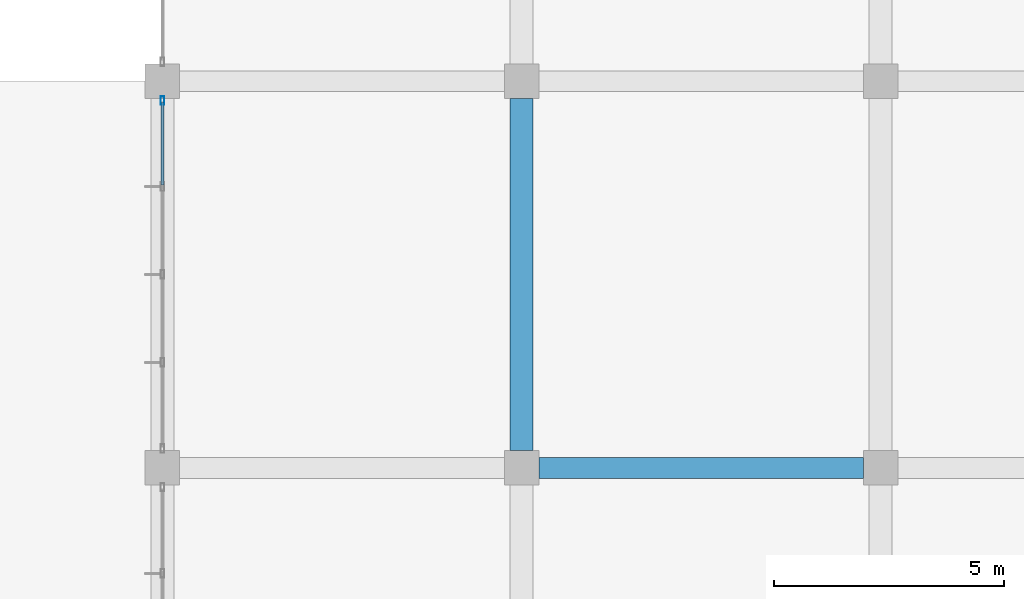
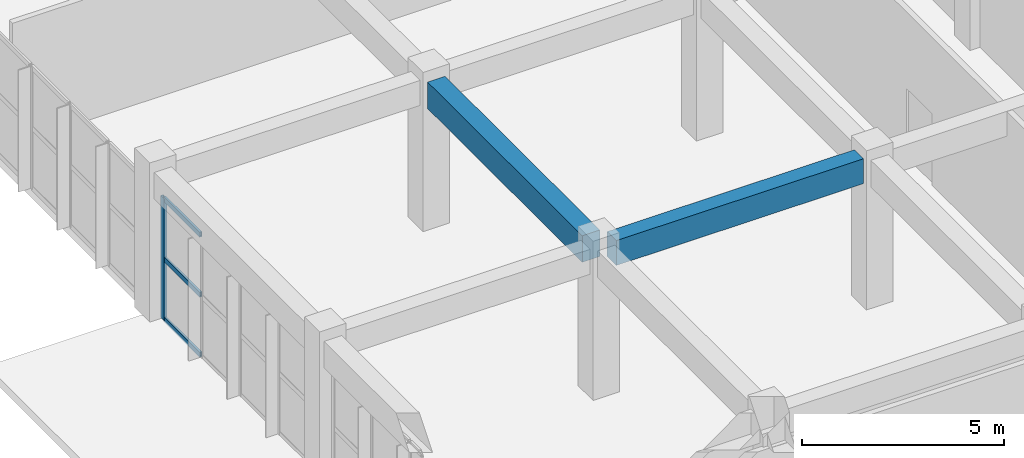
# One storey, part 21 of 175: 4 members, 2 beams, 1 element without a shape of its own.
"""IFC4 building model written with IfcOpenShell, lengths in metres."""

import ifcopenshell
import ifcopenshell.guid

model = None  # the IFC model being written
_history = None  # IfcOwnerHistory: only IFC2X3 demands one
_inside = {}  # id of a spatial element -> (the spatial element, [elements in it])
_under = {}  # id of a project, library or spatial element -> (it, [spatial elements below it])
_declared = {}  # id of a project -> (the project, [libraries it declares])
_typed = {}  # id of a type object -> (the type object, [elements of that type])
_made_of = {}  # id of a material, layer set ... -> (it, [elements and type objects made of it])


def new_model(schema):
    """Start an empty IFC model of exactly this schema.

    Asked for "IFC4X3", IfcOpenShell would pick the latest addendum, in which some entities
    have other attributes; the version numbers below select the first issue.
    IFC2X3 requires an IfcOwnerHistory on every rooted entity: one is made here for all.
    """
    global model, _history
    if schema == "IFC4X3":
        model = ifcopenshell.file(schema_version=(4, 3, 0, 0))
    else:
        model = ifcopenshell.file(schema=schema)
    _inside.clear()
    _under.clear()
    _declared.clear()
    _typed.clear()
    _made_of.clear()
    _history = None
    if model.schema == "IFC2X3":
        org = make("IfcOrganization", Name="unknown")
        user = make(
            "IfcPersonAndOrganization",
            ThePerson=make("IfcPerson", FamilyName="unknown"),
            TheOrganization=org,
        )
        app = make(
            "IfcApplication",
            ApplicationDeveloper=org,
            Version="unknown",
            ApplicationFullName="unknown",
            ApplicationIdentifier="unknown",
        )
        _history = make(
            "IfcOwnerHistory",
            OwningUser=user,
            OwningApplication=app,
            ChangeAction="ADDED",
            CreationDate=0,
        )
    return model


def make(cls, **values):
    """One entity of the class cls with the attributes given. An attribute that is None is left unset."""
    return model.create_entity(
        cls, **{name: value for name, value in values.items() if value is not None}
    )


def rooted(cls, **values):
    """An entity with a GlobalId (a new one), such as an element, a storey or a relation."""
    return make(cls, GlobalId=ifcopenshell.guid.new(), OwnerHistory=_history, **values)


def si_unit(unit_type, name, prefix=None):
    """IfcSIUnit, for example si_unit("LENGTHUNIT", "METRE", prefix="MILLI")."""
    return make("IfcSIUnit", UnitType=unit_type, Prefix=prefix, Name=name)


def assignment(units):
    """IfcUnitAssignment: the units of a project."""
    return None if units is None else make("IfcUnitAssignment", Units=units)


def point(xyz):
    """IfcCartesianPoint."""
    return None if xyz is None else make("IfcCartesianPoint", Coordinates=xyz)


def direction(xyz):
    """IfcDirection."""
    return None if xyz is None else make("IfcDirection", DirectionRatios=xyz)


def frame(location, z_axis=None, x_axis=None):
    """IfcAxis2Placement3D, a coordinate frame: its origin and axes. An axis left out is left unset."""
    return make(
        "IfcAxis2Placement3D",
        Location=point(location),
        Axis=direction(z_axis),
        RefDirection=direction(x_axis),
    )


def frame_2d(location, x_axis=None):
    """IfcAxis2Placement2D, a coordinate frame in the plane: its origin and x axis."""
    return make(
        "IfcAxis2Placement2D", Location=point(location), RefDirection=direction(x_axis)
    )


def origin():
    """The frame at (0, 0, 0) with its axes left unset."""
    return frame((0.0, 0.0, 0.0))


def origin_2d():
    """The frame at (0, 0) in the plane with its x axis left unset."""
    return frame_2d((0.0, 0.0))


def place(relative_to, where):
    """IfcLocalPlacement: puts the frame where relative to a parent placement (None: the world)."""
    return make(
        "IfcLocalPlacement", PlacementRelTo=relative_to, RelativePlacement=where
    )


def context(
    kind, dimensions, precision=None, world=None, true_north=None, identifier=None
):
    """IfcGeometricRepresentationContext, for example the 3D "Model" context."""
    return make(
        "IfcGeometricRepresentationContext",
        ContextIdentifier=identifier,
        ContextType=kind,
        CoordinateSpaceDimension=dimensions,
        Precision=precision,
        WorldCoordinateSystem=world,
        TrueNorth=true_north,
    )


def subcontext(parent, identifier, kind, view, scale=None):
    """IfcGeometricRepresentationSubContext, for example "Body" below "Model"."""
    return make(
        "IfcGeometricRepresentationSubContext",
        ContextIdentifier=identifier,
        ContextType=kind,
        ParentContext=parent,
        TargetScale=scale,
        TargetView=view,
    )


def project(units=None, contexts=None):
    """IfcProject with its units and contexts."""
    return rooted(
        "IfcProject",
        Name="project",
        RepresentationContexts=contexts,
        UnitsInContext=assignment(units),
    )


def spatial(cls, under=None, at=None, **own):
    """A site, building, storey or space (cls), placed at a placement, below another one or the project."""
    s = rooted(cls, ObjectPlacement=at, **own)
    if under is not None:
        _under.setdefault(under.id(), (under, []))[1].append(s)
    return s


def profile(cls, at=None, kind="AREA", **sizes):
    """A parametric profile (cls). Its sizes go by their IFC names, for example OverallWidth=200.0."""
    return make(cls, ProfileType=kind, Position=at, **sizes)


def rectangle(**sizes):
    """IfcRectangleProfileDef."""
    return profile("IfcRectangleProfileDef", **sizes)


def hollow_rectangle(**sizes):
    """IfcRectangleHollowProfileDef."""
    return profile("IfcRectangleHollowProfileDef", **sizes)


def extrude(swept, where, along, depth):
    """IfcExtrudedAreaSolid: the profile swept, set in the frame where, extruded along a direction by depth."""
    return make(
        "IfcExtrudedAreaSolid",
        SweptArea=swept,
        Position=where,
        ExtrudedDirection=direction(along),
        Depth=depth,
    )


def shape(context_of_items, identifier, shape_type, items):
    """IfcShapeRepresentation: the items that make up one representation, for example the "Body"."""
    return make(
        "IfcShapeRepresentation",
        ContextOfItems=context_of_items,
        RepresentationIdentifier=identifier,
        RepresentationType=shape_type,
        Items=items,
    )


def material(Name=None, Category=None):
    """IfcMaterial."""
    return make("IfcMaterial", Name=Name, Category=Category)


def layer(
    of_material, thickness, ventilated=None, Name=None, Category=None, Priority=None
):
    """IfcMaterialLayer: one layer of a wall or slab, of a material (None: an air gap)."""
    return make(
        "IfcMaterialLayer",
        Material=of_material,
        LayerThickness=thickness,
        IsVentilated=ventilated,
        Name=Name,
        Category=Category,
        Priority=Priority,
    )


def layer_set(layers, Name=None):
    """IfcMaterialLayerSet."""
    return make("IfcMaterialLayerSet", MaterialLayers=layers, LayerSetName=Name)


def material_profile(
    of_material, cross_section, Name=None, Category=None, Priority=None
):
    """IfcMaterialProfile: a cross section and its material."""
    return make(
        "IfcMaterialProfile",
        Name=Name,
        Material=of_material,
        Profile=cross_section,
        Priority=Priority,
        Category=Category,
    )


def profile_set(profiles, Name=None, composite=None):
    """IfcMaterialProfileSet."""
    return make(
        "IfcMaterialProfileSet",
        Name=Name,
        MaterialProfiles=profiles,
        CompositeProfile=composite,
    )


def made_of(thing, what):
    """Note that an element or type object is made of a material, layer set ...; save() writes the relation."""
    if what is not None:
        _made_of.setdefault(what.id(), (what, []))[1].append(thing)
    return thing


def type_object(cls, material=None, **own):
    """A type object (cls), such as IfcWallType, which elements share."""
    return made_of(rooted(cls, **own), material)


def element(
    cls,
    number,
    at=None,
    inside=None,
    cuts=None,
    type_object=None,
    material=None,
    context=None,
    identifier="Body",
    shape_type=None,
    held_by="IfcProductDefinitionShape",
    body=None,
    shapes=None,
    **own,
):
    """One element of the class cls, such as IfcWall. Its Tag is "e" and its number.

    at: its placement. inside: the storey or other place that contains it. cuts: it is an
    opening in that element (IfcRelVoidsElement). A single representation is given by context,
    identifier, shape_type and body (its items); several are given by shapes. held_by: the class
    of the entity that holds the representations. save() writes the other relations.
    """
    e = rooted(cls, Tag="e%d" % number, ObjectPlacement=at, **own)
    if body is not None:
        shapes = [shape(context, identifier, shape_type, body)]
    if shapes is not None:
        e.Representation = make(held_by, Representations=shapes)
    if inside is not None:
        _inside.setdefault(inside.id(), (inside, []))[1].append(e)
    if cuts is not None:
        rooted(
            "IfcRelVoidsElement", RelatingBuildingElement=cuts, RelatedOpeningElement=e
        )
    if type_object is not None:
        _typed.setdefault(type_object.id(), (type_object, []))[1].append(e)
    return made_of(e, material)


def aggregate(whole, parts):
    """IfcRelAggregates: a whole, such as a stair, and the parts it consists of."""
    return rooted("IfcRelAggregates", RelatingObject=whole, RelatedObjects=parts)


def save(model, path):
    """Write the relations noted so far, then the file.

    IfcRelAggregates (storeys below a building ...), IfcRelContainedInSpatialStructure (elements
    in a storey), IfcRelDefinesByType, IfcRelAssociatesMaterial and IfcRelDeclares: one each for
    every whole, place, type object, material and project.
    """
    for whole, parts in _under.values():
        aggregate(whole, parts)
    for where, things in _inside.values():
        rooted(
            "IfcRelContainedInSpatialStructure",
            RelatedElements=things,
            RelatingStructure=where,
        )
    for kind, things in _typed.values():
        rooted("IfcRelDefinesByType", RelatedObjects=things, RelatingType=kind)
    for what, things in _made_of.values():
        rooted("IfcRelAssociatesMaterial", RelatedObjects=things, RelatingMaterial=what)
    for by, libraries in _declared.values():
        rooted("IfcRelDeclares", RelatingContext=by, RelatedDefinitions=libraries)
    model.write(path)


model = new_model("IFC4")

# Units and contexts
model_context = context("Model", 3, precision=1e-05, world=origin(), true_north=direction((0.0, 1.0)))
body_context = subcontext(model_context, "Body", "Model", "MODEL_VIEW")
ifc_project = project(units=[si_unit("LENGTHUNIT", "METRE"), si_unit("AREAUNIT", "SQUARE_METRE"), si_unit("VOLUMEUNIT", "CUBIC_METRE"), si_unit("PLANEANGLEUNIT", "RADIAN"), si_unit("MASSUNIT", "GRAM", prefix="KILO")], contexts=[model_context])

# Site, building, storey
site_placement = place(None, origin())
site = spatial("IfcSite", under=ifc_project, at=site_placement, CompositionType="ELEMENT")
building_placement = place(site_placement, origin())
building = spatial("IfcBuilding", under=site, at=building_placement, Name="Zizhar Promenade General Hospital", CompositionType="ELEMENT")
storey_placement = place(building_placement, frame((0.0, 0.0, 4.800048828125)))
storey = spatial("IfcBuildingStorey", under=building, at=storey_placement, Name="L01", CompositionType="ELEMENT", Elevation=4.800048828125)

# Beams
ifc_material_1 = material(Name="Concrete C35/45", Category="concrete")
ifc_material_profile_1 = material_profile(ifc_material_1, rectangle(XDim=0.449951171875, YDim=0.75, at=origin_2d()))
ifc_profile_set_1 = profile_set([ifc_material_profile_1], Name="Concrete C35/45")
beam_type_1 = type_object("IfcBeamType", Name="BM-RC-450x750", PredefinedType="BEAM", material=ifc_profile_set_1)
beam_1_placement = place(storey_placement, frame((8.175048828125, 33.60009765625, 4.094970703125), z_axis=(1.0, 0.0, 0.0), x_axis=(0.0, 1.0, 0.0)))
element("IfcBeam", 1, at=beam_1_placement, inside=storey, type_object=beam_type_1, Name="Grid Beam X L01 (1-4)", PredefinedType="BEAM", context=body_context, shape_type="SweptSolid", body=[
    extrude(rectangle(XDim=0.449951171875, YDim=0.75, at=origin_2d()), origin(), (0.0, 0.0, 1.0), 7.050048828125),
])
ifc_material_2 = material(Name="Concrete C35/45", Category="concrete")
ifc_material_profile_2 = material_profile(ifc_material_2, rectangle(XDim=0.5, YDim=0.800048828125, at=origin_2d()))
ifc_profile_set_2 = profile_set([ifc_material_profile_2], Name="Concrete C35/45")
beam_type_2 = type_object("IfcBeamType", Name="BM-RC-500x800", PredefinedType="BEAM", material=ifc_profile_set_2)
beam_2_placement = place(storey_placement, frame((7.800048828125, 33.97509765625, 4.070068359375), z_axis=(0.0, 1.0, 0.0), x_axis=(-1.0, 0.0, 0.0)))
element("IfcBeam", 2, at=beam_2_placement, inside=storey, type_object=beam_type_2, Name="Grid Beam Y L01 (1-4)", PredefinedType="BEAM", context=body_context, shape_type="SweptSolid", body=[
    extrude(rectangle(XDim=0.5, YDim=0.800048828125, at=origin_2d()), origin(), (0.0, 0.0, 1.0), 7.64990234375),
])

# Curtain wall, members
ifc_material_3 = material(Name="Anodised aluminium 6063-T6 and low-E glass", Category="aluminium")
ifc_layer = layer(ifc_material_3, 0.159912109375)
ifc_layer_set = layer_set([ifc_layer], Name="Anodised aluminium 6063-T6 and low-E glass")
curtain_wall_type = type_object("IfcCurtainWallType", Name="CW-ED-FRONT", PredefinedType="NOTDEFINED", material=ifc_layer_set)
curtain_wall_placement = place(storey_placement, origin())
curtain_wall = element("IfcCurtainWall", 3, at=curtain_wall_placement, inside=storey, type_object=curtain_wall_type, Name="West Diagnostic Arm Glazed Curtain Wall L01-W4", PredefinedType="NOTDEFINED")
ifc_material_4 = material(Name="Anodised aluminium 6063-T6", Category="aluminium")
ifc_material_profile_3 = material_profile(ifc_material_4, hollow_rectangle(XDim=0.080078125, YDim=0.179931640625, WallThickness=0.0048828125, at=origin_2d()))
ifc_profile_set_3 = profile_set([ifc_material_profile_3], Name="Anodised aluminium 6063-T6")
member_type_1 = type_object("IfcMemberType", Name="CWM-ALU-180x80", PredefinedType="MULLION", material=ifc_profile_set_3)
member_1_placement = place(storey_placement, frame((0.0, 41.580078125, 0.0), z_axis=(0.0, 0.0, 1.0), x_axis=(-1.0, 0.0, 0.0)))
member_1 = element("IfcMember", 4, at=member_1_placement, type_object=member_type_1, Name="CW-06 mullion 5", PredefinedType="MULLION", context=body_context, shape_type="SweptSolid", body=[
    extrude(hollow_rectangle(XDim=0.080078125, YDim=0.179931640625, WallThickness=0.0048828125, at=origin_2d()), origin(), (0.0, 0.0, 1.0), 3.679931640625),
])
ifc_material_5 = material(Name="Anodised aluminium 6063-T6", Category="aluminium")
ifc_material_profile_4 = material_profile(ifc_material_5, hollow_rectangle(XDim=0.06005859375, YDim=0.14990234375, WallThickness=0.00390625, at=origin_2d()))
ifc_profile_set_4 = profile_set([ifc_material_profile_4], Name="Anodised aluminium 6063-T6")
member_type_2 = type_object("IfcMemberType", Name="CWT-ALU-150x60", PredefinedType="USERDEFINED", material=ifc_profile_set_4)
member_2_placement = place(storey_placement, frame((0.0, 39.75, 0.030029296875), z_axis=(0.0, 1.0, 0.0), x_axis=(-1.0, 0.0, 0.0)))
member_2 = element("IfcMember", 5, at=member_2_placement, type_object=member_type_2, Name="CW-06 transom 4.1", ObjectType="TRANSOM", PredefinedType="USERDEFINED", context=body_context, shape_type="SweptSolid", body=[
    extrude(hollow_rectangle(XDim=0.06005859375, YDim=0.14990234375, WallThickness=0.00390625, at=origin_2d()), origin(), (0.0, 0.0, 1.0), 1.7900390625),
])
member_3_placement = place(storey_placement, frame((0.0, 39.75, 1.83984375), z_axis=(0.0, 1.0, 0.0), x_axis=(-1.0, 0.0, 0.0)))
member_3 = element("IfcMember", 6, at=member_3_placement, type_object=member_type_2, Name="CW-06 transom 4.2", ObjectType="TRANSOM", PredefinedType="USERDEFINED", context=body_context, shape_type="SweptSolid", body=[
    extrude(hollow_rectangle(XDim=0.06005859375, YDim=0.14990234375, WallThickness=0.00390625, at=origin_2d()), origin(), (0.0, 0.0, 1.0), 1.7900390625),
])
member_4_placement = place(storey_placement, frame((0.0, 39.75, 3.64990234375), z_axis=(0.0, 1.0, 0.0), x_axis=(-1.0, 0.0, 0.0)))
member_4 = element("IfcMember", 7, at=member_4_placement, type_object=member_type_2, Name="CW-06 transom 4.3", ObjectType="TRANSOM", PredefinedType="USERDEFINED", context=body_context, shape_type="SweptSolid", body=[
    extrude(hollow_rectangle(XDim=0.06005859375, YDim=0.14990234375, WallThickness=0.00390625, at=origin_2d()), origin(), (0.0, 0.0, 1.0), 1.7900390625),
])
aggregate(curtain_wall, [member_1, member_2, member_3, member_4])

save(model, "model.ifc")
